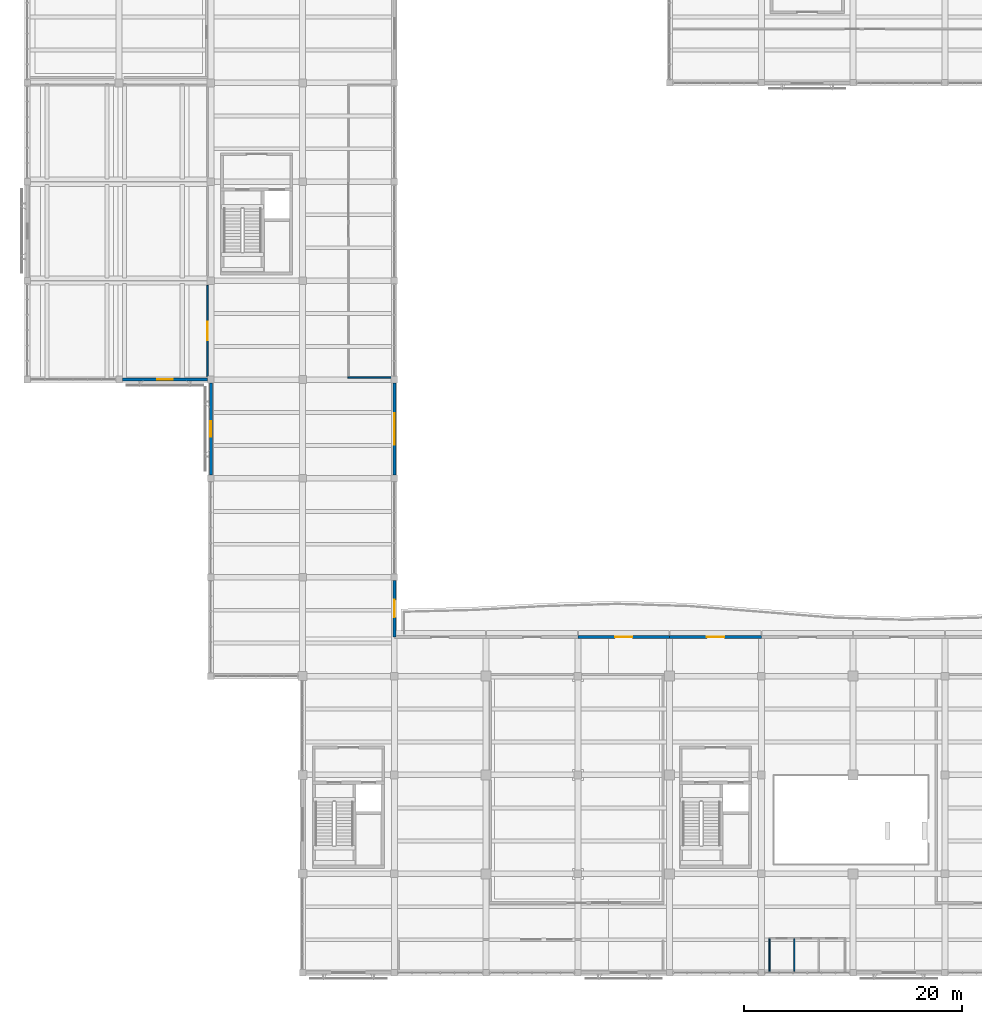
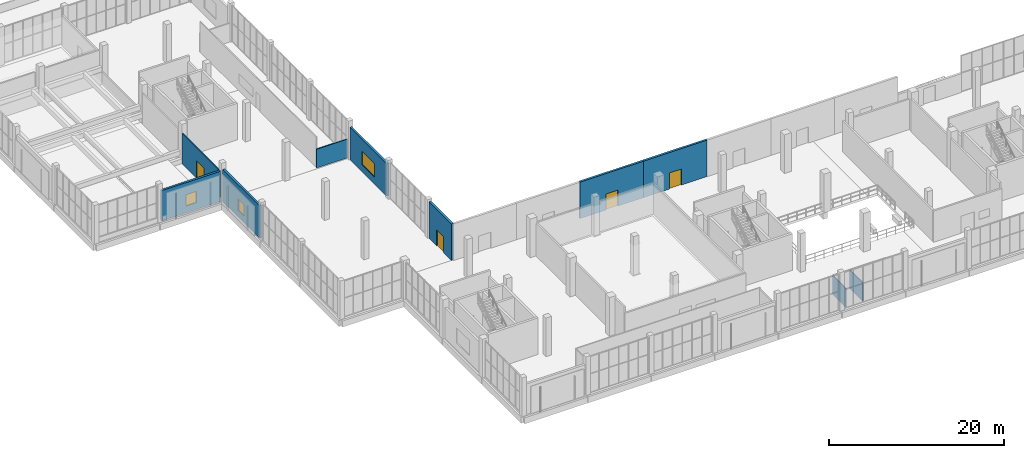
# One storey, part 112 of 132: 10 walls, 4 doors, 3 windows, 7 openings.
"""IFC4 building model written with IfcOpenShell, lengths in metres."""

from ifc_helpers import new_model, si_unit, direction, frame, frame_2d, origin, place, context, subcontext, project, spatial, rectangle, extrude, material, layer, layer_set, type_object, element, fill, save


model = new_model("IFC4")

# Units and contexts
model_context = context("Model", 3, precision=1e-05, world=origin(), true_north=direction((0.0, 1.0)))
body_context = subcontext(model_context, "Body", "Model", "MODEL_VIEW")
ifc_project = project(units=[si_unit("LENGTHUNIT", "METRE"), si_unit("AREAUNIT", "SQUARE_METRE"), si_unit("VOLUMEUNIT", "CUBIC_METRE"), si_unit("PLANEANGLEUNIT", "RADIAN"), si_unit("MASSUNIT", "GRAM", prefix="KILO")], contexts=[model_context])

# Site, building, storey
site_placement = place(None, origin())
site = spatial("IfcSite", under=ifc_project, at=site_placement, CompositionType="ELEMENT")
building_placement = place(site_placement, origin())
building = spatial("IfcBuilding", under=site, at=building_placement, Name="Khurvash Pelagic Aquarium", CompositionType="ELEMENT")
storey_placement = place(building_placement, frame((0.0, 0.0, 5.39990234375)))
storey = spatial("IfcBuildingStorey", under=building, at=storey_placement, Name="L01", CompositionType="ELEMENT", Elevation=5.39990234375)

# Wall, opening, window
ifc_material_1 = material(Name="Glass-fibre reinforced concrete C40/50", Category="concrete")
ifc_layer_1 = layer(ifc_material_1, 0.280029296875)
ifc_layer_set_1 = layer_set([ifc_layer_1], Name="Glass-fibre reinforced concrete C40/50")
wall_type_1 = type_object("IfcWallType", Name="EW-280", PredefinedType="STANDARD", material=ifc_layer_set_1)
wall_1_placement = place(storey_placement, frame((8.705078125, 56.89990234375, 0.0), z_axis=(0.0, 0.0, 1.0), x_axis=(1.0, 0.0, 0.0)))
wall_1 = element("IfcWall", 1, at=wall_1_placement, inside=storey, type_object=wall_type_1, Name="L01 Exterior Architectural Facade Wall EW-280 0050", PredefinedType="STANDARD", context=body_context, shape_type="SweptSolid", body=[
    extrude(rectangle(XDim=7.7900390625, YDim=0.280029296875, at=frame_2d((3.89501953125, 0.0))), origin(), (0.0, 0.0, 1.0), 4.22998046875),
])
opening_1_placement = place(wall_1_placement, frame((3.195068359375, 0.0, 0.9501953125)))
opening_1 = element("IfcOpeningElement", 2, at=opening_1_placement, cuts=wall_1, Name="Opening WN-10", PredefinedType="OPENING", context=body_context, shape_type="SweptSolid", body=[
    extrude(rectangle(XDim=1.39990234375, YDim=1.60009765625, at=frame_2d((0.699951171875, 0.800048828125))), frame((0.0, 0.14990234375, 0.0), z_axis=(0.0, -1.0, 0.0), x_axis=(1.0, 0.0, 0.0)), (0.0, 0.0, 1.0), 0.300048828125),
])
ifc_material_2 = material(Name="Thermally broken aluminium and low-E glass", Category="aluminium")
window_type_1 = type_object("IfcWindowType", Name="WN-10", PartitioningType="SINGLE_PANEL", PredefinedType="WINDOW", material=ifc_material_2)
window_1_placement = place(opening_1_placement, origin())
window_1 = element("IfcWindow", 3, at=window_1_placement, inside=storey, type_object=window_type_1, Name="L01 Facade Window WN-10 0030", OverallHeight=1.60009765625, OverallWidth=1.39990234375, PartitioningType="SINGLE_PANEL", PredefinedType="WINDOW", context=body_context, shape_type="SweptSolid", body=[
    extrude(rectangle(XDim=1.39990234375, YDim=1.60009765625, at=frame_2d((0.699951171875, 0.800048828125))), frame((0.0, 0.030029296875, 0.0), z_axis=(0.0, -1.0, 0.0), x_axis=(1.0, 0.0, 0.0)), (0.0, 0.0, 1.0), 0.06005859375),
])
fill(opening_1, window_1)

wall_2_placement = place(storey_placement, frame((16.800048828125, 56.594970703125, 0.0), z_axis=(0.0, 0.0, 1.0), x_axis=(0.0, -1.0, 0.0)))
wall_2 = element("IfcWall", 4, at=wall_2_placement, inside=storey, type_object=wall_type_1, Name="L01 Exterior Architectural Facade Wall EW-280 0051", PredefinedType="STANDARD", context=body_context, shape_type="SweptSolid", body=[
    extrude(rectangle(XDim=8.43994140625, YDim=0.280029296875, at=frame_2d((4.219970703125, 0.0))), origin(), (0.0, 0.0, 1.0), 4.531005859375),
])
opening_2_placement = place(wall_2_placement, frame((3.52001953125, 0.0, 0.9501953125)))
opening_2 = element("IfcOpeningElement", 5, at=opening_2_placement, cuts=wall_2, Name="Opening WN-10", PredefinedType="OPENING", context=body_context, shape_type="SweptSolid", body=[
    extrude(rectangle(XDim=1.39990234375, YDim=1.60009765625, at=frame_2d((0.699951171875, 0.800048828125))), frame((0.0, 0.14990234375, 0.0), z_axis=(0.0, -1.0, 0.0), x_axis=(1.0, 0.0, 0.0)), (0.0, 0.0, 1.0), 0.300048828125),
])
window_2_placement = place(opening_2_placement, origin())
window_2 = element("IfcWindow", 6, at=window_2_placement, inside=storey, type_object=window_type_1, Name="L01 Facade Window WN-10 0031", OverallHeight=1.60009765625, OverallWidth=1.39990234375, PartitioningType="SINGLE_PANEL", PredefinedType="WINDOW", context=body_context, shape_type="SweptSolid", body=[
    extrude(rectangle(XDim=1.39990234375, YDim=1.60009765625, at=frame_2d((0.699951171875, 0.800048828125))), frame((0.0, 0.030029296875, 0.0), z_axis=(0.0, -1.0, 0.0), x_axis=(1.0, 0.0, 0.0)), (0.0, 0.0, 1.0), 0.06005859375),
])
fill(opening_2, window_2)

# Wall, opening, door
wall_3_placement = place(storey_placement, frame((67.199951171875, 33.35009765625, 0.0), z_axis=(0.0, 0.0, 1.0), x_axis=(-1.0, 0.0, 0.0)))
wall_3 = element("IfcWall", 7, at=wall_3_placement, inside=storey, type_object=wall_type_1, Name="L01 Exterior Architectural Facade Wall EW-280 0060", PredefinedType="STANDARD", context=body_context, shape_type="SweptSolid", body=[
    extrude(rectangle(XDim=8.39990234375, YDim=0.280029296875, at=frame_2d((4.199951171875, 0.0))), origin(), (0.0, 0.0, 1.0), 5.10009765625),
])
opening_3_placement = place(wall_3_placement, frame((3.39990234375, 0.0, 0.0)))
opening_3 = element("IfcOpeningElement", 8, at=opening_3_placement, cuts=wall_3, Name="Opening ED-03", PredefinedType="OPENING", context=body_context, shape_type="SweptSolid", body=[
    extrude(rectangle(XDim=1.60009765625, YDim=2.25, at=frame_2d((0.800048828125, 1.125))), frame((0.0, 0.14990234375, 0.0), z_axis=(0.0, -1.0, 0.0), x_axis=(1.0, 0.0, 0.0)), (0.0, 0.0, 1.0), 0.300048828125),
])
ifc_material_3 = material(Name="Thermally broken glazed aluminium", Category="aluminium")
door_type_1 = type_object("IfcDoorType", Name="ED-03", OperationType="DOUBLE_DOOR_SINGLE_SWING", PredefinedType="DOOR", material=ifc_material_3)
door_1_placement = place(opening_3_placement, frame((1.60009765625, 0.0, 0.0), z_axis=(0.0, 0.0, 1.0), x_axis=(-1.0, 0.0, 0.0)))
door_1 = element("IfcDoor", 9, at=door_1_placement, inside=storey, type_object=door_type_1, Name="DR-0106", OperationType="DOUBLE_DOOR_SINGLE_SWING", OverallHeight=2.25, OverallWidth=1.60009765625, PredefinedType="DOOR", context=body_context, shape_type="SweptSolid", body=[
    extrude(rectangle(XDim=1.60009765625, YDim=2.25, at=frame_2d((0.800048828125, 1.125))), frame((0.0, 0.02490234375, 0.0), z_axis=(0.0, -1.0, 0.0), x_axis=(1.0, 0.0, 0.0)), (0.0, 0.0, 1.0), 0.050048828125),
])
fill(opening_3, door_1)

wall_4_placement = place(storey_placement, frame((58.800048828125, 33.35009765625, 0.0), z_axis=(0.0, 0.0, 1.0), x_axis=(-1.0, 0.0, 0.0)))
wall_4 = element("IfcWall", 10, at=wall_4_placement, inside=storey, type_object=wall_type_1, Name="L01 Exterior Architectural Facade Wall EW-280 0061", PredefinedType="STANDARD", context=body_context, shape_type="SweptSolid", body=[
    extrude(rectangle(XDim=8.400146484375, YDim=0.280029296875, at=frame_2d((4.2001953125, 0.0))), origin(), (0.0, 0.0, 1.0), 5.10009765625),
])
opening_4_placement = place(wall_4_placement, frame((3.39990234375, 0.0, 0.0)))
opening_4 = element("IfcOpeningElement", 11, at=opening_4_placement, cuts=wall_4, Name="Opening ED-03", PredefinedType="OPENING", context=body_context, shape_type="SweptSolid", body=[
    extrude(rectangle(XDim=1.60009765625, YDim=2.25, at=frame_2d((0.800048828125, 1.125))), frame((0.0, 0.14990234375, 0.0), z_axis=(0.0, -1.0, 0.0), x_axis=(1.0, 0.0, 0.0)), (0.0, 0.0, 1.0), 0.300048828125),
])
door_2_placement = place(opening_4_placement, frame((1.60009765625, 0.0, 0.0), z_axis=(0.0, 0.0, 1.0), x_axis=(-1.0, 0.0, 0.0)))
door_2 = element("IfcDoor", 12, at=door_2_placement, inside=storey, type_object=door_type_1, Name="DR-0107", OperationType="DOUBLE_DOOR_SINGLE_SWING", OverallHeight=2.25, OverallWidth=1.60009765625, PredefinedType="DOOR", context=body_context, shape_type="SweptSolid", body=[
    extrude(rectangle(XDim=1.60009765625, YDim=2.25, at=frame_2d((0.800048828125, 1.125))), frame((0.0, 0.02490234375, 0.0), z_axis=(0.0, -1.0, 0.0), x_axis=(1.0, 0.0, 0.0)), (0.0, 0.0, 1.0), 0.050048828125),
])
fill(opening_4, door_2)

wall_5_placement = place(storey_placement, frame((33.60009765625, 33.35009765625, 0.0), z_axis=(0.0, 0.0, 1.0), x_axis=(0.0, 1.0, 0.0)))
wall_5 = element("IfcWall", 13, at=wall_5_placement, inside=storey, type_object=wall_type_1, Name="L01 Exterior Architectural Facade Wall EW-280 0064", PredefinedType="STANDARD", context=body_context, shape_type="SweptSolid", body=[
    extrude(rectangle(XDim=5.14501953125, YDim=0.280029296875, at=frame_2d((2.572509765625, 0.0))), origin(), (0.0, 0.0, 1.0), 5.10009765625),
])
opening_5_placement = place(wall_5_placement, frame((1.77197265625, 0.0, 0.0)))
opening_5 = element("IfcOpeningElement", 14, at=opening_5_placement, cuts=wall_5, Name="Opening ED-03", PredefinedType="OPENING", context=body_context, shape_type="SweptSolid", body=[
    extrude(rectangle(XDim=1.60009765625, YDim=2.25, at=frame_2d((0.800048828125, 1.125))), frame((0.0, 0.14990234375, 0.0), z_axis=(0.0, -1.0, 0.0), x_axis=(1.0, 0.0, 0.0)), (0.0, 0.0, 1.0), 0.300048828125),
])
door_3_placement = place(opening_5_placement, frame((1.60009765625, 0.0, 0.0), z_axis=(0.0, 0.0, 1.0), x_axis=(-1.0, 0.0, 0.0)))
door_3 = element("IfcDoor", 15, at=door_3_placement, inside=storey, type_object=door_type_1, Name="DR-0110", OperationType="DOUBLE_DOOR_SINGLE_SWING", OverallHeight=2.25, OverallWidth=1.60009765625, PredefinedType="DOOR", context=body_context, shape_type="SweptSolid", body=[
    extrude(rectangle(XDim=1.60009765625, YDim=2.25, at=frame_2d((0.800048828125, 1.125))), frame((0.0, 0.02490234375, 0.0), z_axis=(0.0, -1.0, 0.0), x_axis=(1.0, 0.0, 0.0)), (0.0, 0.0, 1.0), 0.050048828125),
])
fill(opening_5, door_3)

# Wall, opening, window
wall_6_placement = place(storey_placement, frame((33.60009765625, 48.155029296875, 0.0), z_axis=(0.0, 0.0, 1.0), x_axis=(0.0, 1.0, 0.0)))
wall_6 = element("IfcWall", 16, at=wall_6_placement, inside=storey, type_object=wall_type_1, Name="L01 Exterior Architectural Facade Wall EW-280 0065", PredefinedType="STANDARD", context=body_context, shape_type="SweptSolid", body=[
    extrude(rectangle(XDim=8.43994140625, YDim=0.280029296875, at=frame_2d((4.219970703125, 0.0))), origin(), (0.0, 0.0, 1.0), 4.531005859375),
])
opening_6_placement = place(wall_6_placement, frame((2.77001953125, 0.0, 0.9501953125)))
opening_6 = element("IfcOpeningElement", 17, at=opening_6_placement, cuts=wall_6, Name="Opening WN-26", PredefinedType="OPENING", context=body_context, shape_type="SweptSolid", body=[
    extrude(rectangle(XDim=2.89990234375, YDim=1.89990234375, at=frame_2d((1.449951171875, 0.949951171875))), frame((0.0, 0.14990234375, 0.0), z_axis=(0.0, -1.0, 0.0), x_axis=(1.0, 0.0, 0.0)), (0.0, 0.0, 1.0), 0.300048828125),
])
window_type_2 = type_object("IfcWindowType", Name="WN-26", PartitioningType="SINGLE_PANEL", PredefinedType="WINDOW", material=ifc_material_2)
window_3_placement = place(opening_6_placement, origin())
window_3 = element("IfcWindow", 18, at=window_3_placement, inside=storey, type_object=window_type_2, Name="L01 Facade Window WN-26 0036", OverallHeight=1.89990234375, OverallWidth=2.89990234375, PartitioningType="SINGLE_PANEL", PredefinedType="WINDOW", context=body_context, shape_type="SweptSolid", body=[
    extrude(rectangle(XDim=2.89990234375, YDim=1.89990234375, at=frame_2d((1.449951171875, 0.949951171875))), frame((0.0, 0.030029296875, 0.0), z_axis=(0.0, -1.0, 0.0), x_axis=(1.0, 0.0, 0.0)), (0.0, 0.0, 1.0), 0.06005859375),
])
fill(opening_6, window_3)

# Walls
ifc_material_4 = material(Name="Ceramic-tiled wet-room partition", Category="masonry")
ifc_layer_2 = layer(ifc_material_4, 0.110107421875)
ifc_layer_set_2 = layer_set([ifc_layer_2], Name="Ceramic-tiled wet-room partition")
wall_type_2 = type_object("IfcWallType", Name="PW-110", PredefinedType="PARTITIONING", material=ifc_layer_set_2)
for number, where, z_axis, x_axis, name in (
    (19, (67.949951171875, 2.739990234375, 0.0), (0.0, 0.0, 1.0), (0.0, 1.0, 0.0), "L01 Restroom Divider Partition PW-110"),
    (20, (70.199951171875, 2.739990234375, 0.0), (0.0, 0.0, 1.0), (0.0, 1.0, 0.0), "L01 Restroom Divider Partition PW-110"),
):
    element("IfcWall", number, at=place(storey_placement, frame(where, z_axis=z_axis, x_axis=x_axis)), inside=storey, type_object=wall_type_2, Name=name, PredefinedType="PARTITIONING", context=body_context, shape_type="SweptSolid", body=[
        extrude(rectangle(XDim=2.955078125, YDim=0.110107421875, at=frame_2d((1.4775390625, 0.0))), origin(), (0.0, 0.0, 1.0), 2.6220703125),
    ])
ifc_material_5 = material(Name="Moisture-resistant gypsum and steel stud", Category="steel")
ifc_layer_3 = layer(ifc_material_5, 0.125)
ifc_layer_set_3 = layer_set([ifc_layer_3], Name="Moisture-resistant gypsum and steel stud")
wall_type_3 = type_object("IfcWallType", Name="PW-125", PredefinedType="PARTITIONING", material=ifc_layer_set_3)
wall_7_placement = place(storey_placement, frame((29.3369140625, 57.10009765625, 0.0), z_axis=(0.0, 0.0, 1.0), x_axis=(1.0, 0.0, 0.0)))
element("IfcWall", 21, at=wall_7_placement, inside=storey, type_object=wall_type_3, Name="L01 Oceanography Seminar Room 1 Partition Wall PW-125", PredefinedType="PARTITIONING", context=body_context, shape_type="SweptSolid", body=[
    extrude(rectangle(XDim=4.125, YDim=0.125, at=frame_2d((2.0625, 0.0))), origin(), (0.0, 0.0, 1.0), 2.6220703125),
])

# Wall, opening, door
ifc_layer_4 = layer(ifc_material_5, 0.139892578125)
ifc_layer_set_4 = layer_set([ifc_layer_4], Name="Moisture-resistant gypsum and steel stud")
wall_type_4 = type_object("IfcWallType", Name="PW-140", PredefinedType="PARTITIONING", material=ifc_layer_set_4)
wall_8_placement = place(storey_placement, frame((16.5, 57.169921875, 0.0), z_axis=(0.0, 0.0, 1.0), x_axis=(0.0, 1.0, 0.0)))
wall_8 = element("IfcWall", 22, at=wall_8_placement, inside=storey, type_object=wall_type_4, Name="L01 Marine Lecture Auditorium Partition Wall PW-140", PredefinedType="PARTITIONING", context=body_context, shape_type="SweptSolid", body=[
    extrude(rectangle(XDim=8.340087890625, YDim=0.139892578125, at=frame_2d((4.169921875, 0.0))), origin(), (0.0, 0.0, 1.0), 4.22998046875),
])
opening_7_placement = place(wall_8_placement, frame((3.320068359375, 0.0, 0.0)))
opening_7 = element("IfcOpeningElement", 23, at=opening_7_placement, cuts=wall_8, Name="Opening ID-45", PredefinedType="OPENING", context=body_context, shape_type="SweptSolid", body=[
    extrude(rectangle(XDim=1.699951171875, YDim=2.419921875, at=frame_2d((0.85009765625, 1.2099609375))), frame((0.0, 0.080078125, 0.0), z_axis=(0.0, -1.0, 0.0), x_axis=(1.0, 0.0, 0.0)), (0.0, 0.0, 1.0), 0.159912109375),
])
ifc_material_6 = material(Name="Kelp gallery double door", Category="wood")
door_type_2 = type_object("IfcDoorType", Name="ID-45", OperationType="DOUBLE_DOOR_SINGLE_SWING", PredefinedType="DOOR", material=ifc_material_6)
door_4_placement = place(opening_7_placement, origin())
door_4 = element("IfcDoor", 24, at=door_4_placement, inside=storey, type_object=door_type_2, Name="DR-0120", OperationType="DOUBLE_DOOR_SINGLE_SWING", OverallHeight=2.419921875, OverallWidth=1.699951171875, PredefinedType="DOOR", context=body_context, shape_type="SweptSolid", body=[
    extrude(rectangle(XDim=1.699951171875, YDim=2.419921875, at=frame_2d((0.85009765625, 1.2099609375))), frame((0.0, 0.02490234375, 0.0), z_axis=(0.0, -1.0, 0.0), x_axis=(1.0, 0.0, 0.0)), (0.0, 0.0, 1.0), 0.050048828125),
])
fill(opening_7, door_4)

save(model, "model.ifc")
